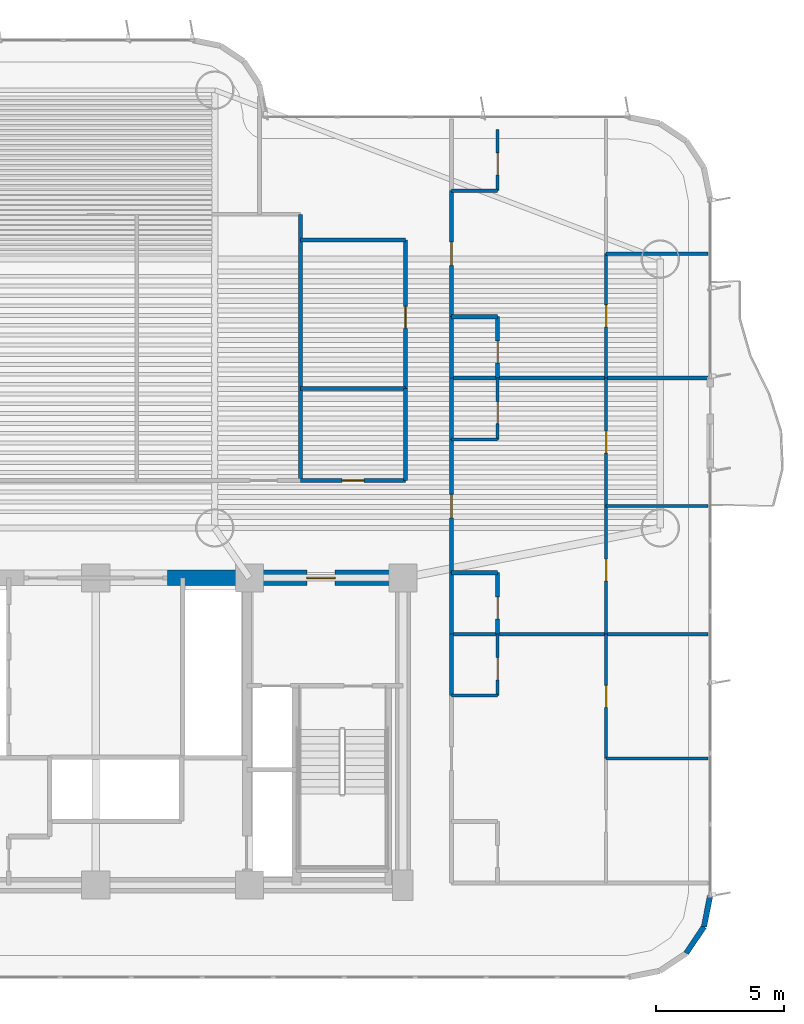
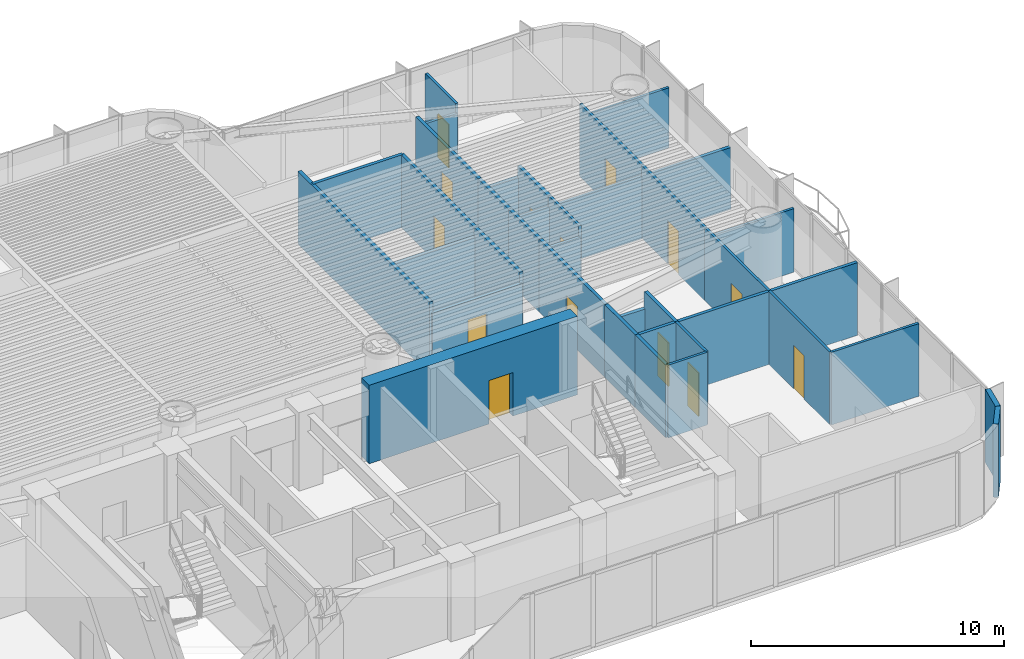
# One storey, part 12 of 18: 34 walls, 14 doors, 14 openings.
"""IFC4 building model written with IfcOpenShell, lengths in metres."""

from ifc_helpers import new_model, si_unit, direction, frame, frame_2d, origin, origin_2d, place, context, subcontext, project, spatial, rectangle, extrude, source, transform, mapped, material, layer, layer_set, type_object, element, fill, save


model = new_model("IFC4")

# Units and contexts
model_context = context("Model", 3, precision=1e-05, world=origin(), true_north=direction((0.0, 1.0)))
body_context = subcontext(model_context, "Body", "Model", "MODEL_VIEW")
ifc_project = project(units=[si_unit("LENGTHUNIT", "METRE"), si_unit("AREAUNIT", "SQUARE_METRE"), si_unit("VOLUMEUNIT", "CUBIC_METRE"), si_unit("PLANEANGLEUNIT", "RADIAN"), si_unit("MASSUNIT", "GRAM", prefix="KILO")], contexts=[model_context])

# Site, building, storey
site_placement = place(None, origin())
site = spatial("IfcSite", under=ifc_project, at=site_placement, CompositionType="ELEMENT")
building_placement = place(site_placement, origin())
building = spatial("IfcBuilding", under=site, at=building_placement, Name="Brelvock Crest Care Tower", CompositionType="ELEMENT")
storey_placement = place(building_placement, frame((0.0, 0.0, 72.360107421875)))
storey = spatial("IfcBuildingStorey", under=building, at=storey_placement, Name="L18", CompositionType="ELEMENT", Elevation=72.360107421875)

# Wall, opening, door
ifc_material_1 = material(Name="Concrete S80 (80 MPa)", Category="concrete")
ifc_layer_1 = layer(ifc_material_1, 0.60009765625, Name="WL-CS1")
ifc_layer_set_1 = layer_set([ifc_layer_1], Name="Concrete S80 (80 MPa)")
wall_type_1 = type_object("IfcWallType", Name="WL-CS1", PredefinedType="SHEAR", material=ifc_layer_set_1)
wall_1_placement = place(storey_placement, frame((38.800048828125, 18.0, 0.0), z_axis=(0.0, 0.0, 1.0), x_axis=(1.0, 0.0, 0.0)))
wall_1 = element("IfcWall", 1, at=wall_1_placement, inside=storey, type_object=wall_type_1, Name="L18 Core North-East Shear Wall", PredefinedType="SHEAR", context=body_context, shape_type="SweptSolid", body=[
    extrude(rectangle(XDim=9.5, YDim=0.60009765625, at=frame_2d((4.75, 0.0))), origin(), (0.0, 0.0, 1.0), 3.77978515625),
])
opening_1_placement = place(wall_1_placement, frame((5.449951171875, 0.0, 0.0)))
opening_1 = element("IfcOpeningElement", 2, at=opening_1_placement, cuts=wall_1, Name="Opening FD-1", PredefinedType="OPENING", context=body_context, shape_type="SweptSolid", body=[
    extrude(rectangle(XDim=1.10009765625, YDim=2.10009765625, at=origin_2d()), frame((0.550048828125, 0.31005859375, 1.050048828125), z_axis=(0.0, -1.0, 0.0), x_axis=(1.0, 0.0, 0.0)), (0.0, 0.0, 1.0), 0.6201171875),
])
ifc_material_2 = material(Name="Steel Grade 350", Category="steel")
door_type_1 = type_object("IfcDoorType", Name="DR-FFL1", OperationType="NOTDEFINED", PredefinedType="DOOR", material=ifc_material_2)
shared_shape_1 = source(origin(), body_context, "Body", "SweptSolid", [
    extrude(rectangle(XDim=1.10009765625, YDim=2.10009765625, at=origin_2d()), frame((0.550048828125, 0.02490234375, 1.050048828125), z_axis=(0.0, -1.0, 0.0), x_axis=(1.0, 0.0, 0.0)), (0.0, 0.0, 1.0), 0.050048828125),
])
door_1_placement = place(opening_1_placement, origin())
door_1 = element("IfcDoor", 3, at=door_1_placement, inside=storey, type_object=door_type_1, Name="L18 Firefighting Lobby FFL-2 Exit Door", OperationType="SINGLE_SWING_RIGHT", OverallHeight=2.10009765625, OverallWidth=1.10009765625, PredefinedType="DOOR", context=body_context, shape_type="MappedRepresentation", body=[
    mapped(shared_shape_1, transform((0.0, 0.0, 0.0), x_axis=(1.0, 0.0, 0.0), y_axis=(0.0, 1.0, 0.0), z_axis=(0.0, 0.0, 1.0), scale=1.0)),
])
fill(opening_1, door_1)

# Walls
ifc_material_3 = material(Name="Precast concrete N40 (40 MPa)", Category="concrete")
ifc_layer_2 = layer(ifc_material_3, 0.215087890625, Name="WL-EX2")
ifc_layer_set_2 = layer_set([ifc_layer_2], Name="Precast concrete N40 (40 MPa)")
wall_type_2 = type_object("IfcWallType", Name="WL-EX2", PredefinedType="SOLIDWALL", material=ifc_layer_set_2)
for number, where, z_axis, x_axis, name in (
    (4, (60.0, 5.60009765625, 0.0), (0.0, 0.0, 1.0), (-0.195138390419, -0.980775717779, 0.0), "L18 Rounded Corner Wall 04"),
    (5, (59.75634765625, 4.37548828125, 0.0), (0.0, 0.0, 1.0), (-0.555557312883, -0.831478245117, 0.0), "L18 Rounded Corner Wall 05"),
):
    element("IfcWall", number, at=place(storey_placement, frame(where, z_axis=z_axis, x_axis=x_axis)), inside=storey, type_object=wall_type_2, Name=name, PredefinedType="SOLIDWALL", context=body_context, shape_type="SweptSolid", body=[
        extrude(rectangle(XDim=1.24853515625, YDim=0.215087890625, at=frame_2d((0.624267578125, 0.0))), origin(), (0.0, 0.0, 1.0), 3.52978515625),
    ])
ifc_material_4 = material(Name="Masonry Blockwork Acoustic Partition", Category="masonry")
ifc_layer_3 = layer(ifc_material_4, 0.14990234375, Name="WL-INT1")
ifc_layer_set_3 = layer_set([ifc_layer_3], Name="Masonry Blockwork Acoustic Partition")
wall_type_3 = type_object("IfcWallType", Name="WL-INT1", PredefinedType="PARTITIONING", material=ifc_layer_set_3)
wall_2_placement = place(storey_placement, frame((49.89990234375, 15.800048828125, 0.0), z_axis=(0.0, 0.0, 1.0), x_axis=(1.0, 0.0, 0.0)))
element("IfcWall", 6, at=wall_2_placement, inside=storey, type_object=wall_type_3, Name="L18 Interior Wall WL-BX-L18-FL-EW1-N", PredefinedType="PARTITIONING", context=body_context, shape_type="SweptSolid", body=[
    extrude(rectangle(XDim=10.02001953125, YDim=0.14990234375, at=frame_2d((5.010009765625, 0.0))), origin(), (0.0, 0.0, 1.0), 3.5),
])
wall_3_placement = place(storey_placement, frame((49.89990234375, 25.800048828125, 0.0), z_axis=(0.0, 0.0, 1.0), x_axis=(1.0, 0.0, 0.0)))
element("IfcWall", 7, at=wall_3_placement, inside=storey, type_object=wall_type_3, Name="L18 Interior Wall WL-BX-L18-FL-EW2-N", PredefinedType="PARTITIONING", context=body_context, shape_type="SweptSolid", body=[
    extrude(rectangle(XDim=10.02001953125, YDim=0.14990234375, at=frame_2d((5.010009765625, 0.0))), origin(), (0.0, 0.0, 1.0), 2.98193359375),
])
wall_4_placement = place(storey_placement, frame((44.0, 31.199951171875, 0.0), z_axis=(0.0, 0.0, 1.0), x_axis=(1.0, 0.0, 0.0)))
element("IfcWall", 8, at=wall_4_placement, inside=storey, type_object=wall_type_3, Name="L18 Interior Wall WL-BX-L18-CKIT-N", PredefinedType="PARTITIONING", context=body_context, shape_type="SweptSolid", body=[
    extrude(rectangle(XDim=4.10009765625, YDim=0.14990234375, at=frame_2d((2.050048828125, 0.0))), origin(), (0.0, 0.0, 1.0), 3.5),
])

# Wall, opening, door
wall_5_placement = place(storey_placement, frame((48.10009765625, 25.39990234375, 0.0), z_axis=(0.0, 0.0, 1.0), x_axis=(0.0, 1.0, 0.0)))
wall_5 = element("IfcWall", 9, at=wall_5_placement, inside=storey, type_object=wall_type_3, Name="L18 Interior Wall WL-RM-L18-CKIT", PredefinedType="PARTITIONING", context=body_context, shape_type="SweptSolid", body=[
    extrude(rectangle(XDim=5.800048828125, YDim=0.14990234375, at=frame_2d((2.89990234375, 0.0))), origin(), (0.0, 0.0, 1.0), 3.5),
])
opening_2_placement = place(wall_5_placement, frame((2.340087890625, 0.0, 0.0)))
opening_2 = element("IfcOpeningElement", 10, at=opening_2_placement, cuts=wall_5, Name="Opening ID-1", PredefinedType="OPENING", context=body_context, shape_type="SweptSolid", body=[
    extrude(rectangle(XDim=0.860107421875, YDim=2.10009765625, at=origin_2d()), frame((0.43017578125, 0.0849609375, 1.050048828125), z_axis=(0.0, -1.0, 0.0), x_axis=(1.0, 0.0, 0.0)), (0.0, 0.0, 1.0), 0.169921875),
])
ifc_material_5 = material(Name="Engineered Hardwood Timber", Category="wood")
door_type_2 = type_object("IfcDoorType", Name="DR-INT1", OperationType="NOTDEFINED", PredefinedType="DOOR", material=ifc_material_5)
shared_shape_2 = source(origin(), body_context, "Body", "SweptSolid", [
    extrude(rectangle(XDim=0.860107421875, YDim=2.10009765625, at=origin_2d()), frame((0.43017578125, 0.02490234375, 1.050048828125), z_axis=(0.0, -1.0, 0.0), x_axis=(1.0, 0.0, 0.0)), (0.0, 0.0, 1.0), 0.050048828125),
])
door_2_placement = place(opening_2_placement, origin())
door_2 = element("IfcDoor", 11, at=door_2_placement, inside=storey, type_object=door_type_2, Name="L18 Neighbourhood Pantry Kitchen Door CKIT", OperationType="SINGLE_SWING_LEFT", OverallHeight=2.10009765625, OverallWidth=0.860107421875, PredefinedType="DOOR", context=body_context, shape_type="MappedRepresentation", body=[
    mapped(shared_shape_2, transform((0.0, 0.0, 0.0), x_axis=(1.0, 0.0, 0.0), y_axis=(0.0, 1.0, 0.0), z_axis=(0.0, 0.0, 1.0), scale=1.0)),
])
fill(opening_2, door_2)

# Wall
wall_6_placement = place(storey_placement, frame((49.89990234375, 13.39990234375, 0.0), z_axis=(0.0, 0.0, 1.0), x_axis=(0.0, 1.0, 0.0)))
element("IfcWall", 12, at=wall_6_placement, inside=storey, type_object=wall_type_3, Name="L18 Interior Wall WL-UCK-L18-EW1", PredefinedType="PARTITIONING", context=body_context, shape_type="SweptSolid", body=[
    extrude(rectangle(XDim=2.400146484375, YDim=0.14990234375, at=frame_2d((1.2001953125, 0.0))), origin(), (0.0, 0.0, 1.0), 3.5),
])

# Wall, opening, door
wall_7_placement = place(storey_placement, frame((49.89990234375, 18.199951171875, 0.0), z_axis=(0.0, 0.0, 1.0), x_axis=(0.0, 1.0, 0.0)))
wall_7 = element("IfcWall", 13, at=wall_7_placement, inside=storey, type_object=wall_type_3, Name="L18 Interior Wall WL-UENT-L18-EW2", PredefinedType="PARTITIONING", context=body_context, shape_type="SweptSolid", body=[
    extrude(rectangle(XDim=5.199951171875, YDim=0.14990234375, at=frame_2d((2.60009765625, 0.0))), origin(), (0.0, 0.0, 1.0), 3.5),
])
opening_3_placement = place(wall_7_placement, frame((2.139892578125, 0.0, 0.0)))
opening_3 = element("IfcOpeningElement", 14, at=opening_3_placement, cuts=wall_7, Name="Opening AD-1", PredefinedType="OPENING", context=body_context, shape_type="SweptSolid", body=[
    extrude(rectangle(XDim=0.919921875, YDim=2.10009765625, at=origin_2d()), frame((0.4599609375, 0.0849609375, 1.050048828125), z_axis=(0.0, -1.0, 0.0), x_axis=(1.0, 0.0, 0.0)), (0.0, 0.0, 1.0), 0.169921875),
])
door_type_3 = type_object("IfcDoorType", Name="DR-APT1", OperationType="NOTDEFINED", PredefinedType="DOOR", material=ifc_material_5)
shared_shape_3 = source(origin(), body_context, "Body", "SweptSolid", [
    extrude(rectangle(XDim=0.919921875, YDim=2.10009765625, at=origin_2d()), frame((0.4599609375, 0.02490234375, 1.050048828125), z_axis=(0.0, -1.0, 0.0), x_axis=(1.0, 0.0, 0.0)), (0.0, 0.0, 1.0), 0.050048828125),
])
door_3_placement = place(opening_3_placement, origin())
door_3 = element("IfcDoor", 15, at=door_3_placement, inside=storey, type_object=door_type_3, Name="L18 Apartment Entrance EW2", OperationType="SINGLE_SWING_LEFT", OverallHeight=2.10009765625, OverallWidth=0.919921875, PredefinedType="DOOR", context=body_context, shape_type="MappedRepresentation", body=[
    mapped(shared_shape_3, transform((0.0, 0.0, 0.0), x_axis=(1.0, 0.0, 0.0), y_axis=(0.0, 1.0, 0.0), z_axis=(0.0, 0.0, 1.0), scale=1.0)),
])
fill(opening_3, door_3)

# Wall
wall_8_placement = place(storey_placement, frame((49.89990234375, 23.39990234375, 0.0), z_axis=(0.0, 0.0, 1.0), x_axis=(0.0, 1.0, 0.0)))
element("IfcWall", 16, at=wall_8_placement, inside=storey, type_object=wall_type_3, Name="L18 Interior Wall WL-UCK-L18-EW2", PredefinedType="PARTITIONING", context=body_context, shape_type="SweptSolid", body=[
    extrude(rectangle(XDim=2.400146484375, YDim=0.14990234375, at=frame_2d((1.2001953125, 0.0))), origin(), (0.0, 0.0, 1.0), 3.5),
])

# Wall, opening, door
wall_9_placement = place(storey_placement, frame((49.89990234375, 28.199951171875, 0.0), z_axis=(0.0, 0.0, 1.0), x_axis=(0.0, 1.0, 0.0)))
wall_9 = element("IfcWall", 17, at=wall_9_placement, inside=storey, type_object=wall_type_3, Name="L18 Interior Wall WL-UENT-L18-EW3", PredefinedType="PARTITIONING", context=body_context, shape_type="SweptSolid", body=[
    extrude(rectangle(XDim=4.920166015625, YDim=0.14990234375, at=frame_2d((2.4599609375, 0.0))), origin(), (0.0, 0.0, 1.0), 3.5),
])
opening_4_placement = place(wall_9_placement, frame((2.0, 0.0, 0.0)))
opening_4 = element("IfcOpeningElement", 18, at=opening_4_placement, cuts=wall_9, Name="Opening AD-1", PredefinedType="OPENING", context=body_context, shape_type="SweptSolid", body=[
    extrude(rectangle(XDim=0.919921875, YDim=2.10009765625, at=origin_2d()), frame((0.4599609375, 0.0849609375, 1.050048828125), z_axis=(0.0, -1.0, 0.0), x_axis=(1.0, 0.0, 0.0)), (0.0, 0.0, 1.0), 0.169921875),
])
door_4_placement = place(opening_4_placement, origin())
door_4 = element("IfcDoor", 19, at=door_4_placement, inside=storey, type_object=door_type_3, Name="L18 Apartment Entrance EW3", OperationType="SINGLE_SWING_LEFT", OverallHeight=2.10009765625, OverallWidth=0.919921875, PredefinedType="DOOR", context=body_context, shape_type="MappedRepresentation", body=[
    mapped(shared_shape_3, transform((0.0, 0.0, 0.0), x_axis=(1.0, 0.0, 0.0), y_axis=(0.0, 1.0, 0.0), z_axis=(0.0, 0.0, 1.0), scale=1.0)),
])
fill(opening_4, door_4)

# Walls
ifc_material_6 = material(Name="Gypsum Plasterboard Partition", Category="gypsum")
ifc_layer_4 = layer(ifc_material_6, 0.1201171875, Name="WL-INT2")
ifc_layer_set_4 = layer_set([ifc_layer_4], Name="Gypsum Plasterboard Partition")
wall_type_4 = type_object("IfcWallType", Name="WL-INT2", PredefinedType="PARTITIONING", material=ifc_layer_set_4)
wall_10_placement = place(storey_placement, frame((55.93603515625, 10.93994140625, 0.0), z_axis=(0.0, 0.0, 1.0), x_axis=(1.0, 0.0, 0.0)))
element("IfcWall", 20, at=wall_10_placement, inside=storey, type_object=wall_type_4, Name="L18 Interior Wall WL-UBSP-L18-EW1", PredefinedType="PARTITIONING", context=body_context, shape_type="SweptSolid", body=[
    extrude(rectangle(XDim=3.98388671875, YDim=0.1201171875, at=frame_2d((1.991943359375, 0.0))), origin(), (0.0, 0.0, 1.0), 3.5),
])
wall_11_placement = place(storey_placement, frame((49.89990234375, 13.39990234375, 0.0), z_axis=(0.0, 0.0, 1.0), x_axis=(1.0, 0.0, 0.0)))
element("IfcWall", 21, at=wall_11_placement, inside=storey, type_object=wall_type_4, Name="L18 Interior Wall WL-UKIT2-L18-EW1", PredefinedType="PARTITIONING", context=body_context, shape_type="SweptSolid", body=[
    extrude(rectangle(XDim=1.800048828125, YDim=0.1201171875, at=frame_2d((0.89990234375, 0.0))), origin(), (0.0, 0.0, 1.0), 3.5),
])
wall_12_placement = place(storey_placement, frame((55.93603515625, 20.800048828125, 0.0), z_axis=(0.0, 0.0, 1.0), x_axis=(1.0, 0.0, 0.0)))
element("IfcWall", 22, at=wall_12_placement, inside=storey, type_object=wall_type_4, Name="L18 Interior Wall WL-UBSP-L18-EW2", PredefinedType="PARTITIONING", context=body_context, shape_type="SweptSolid", body=[
    extrude(rectangle(XDim=3.98388671875, YDim=0.1201171875, at=frame_2d((1.991943359375, 0.0))), origin(), (0.0, 0.0, 1.0), 3.054931640625),
])
wall_13_placement = place(storey_placement, frame((49.89990234375, 23.39990234375, 0.0), z_axis=(0.0, 0.0, 1.0), x_axis=(1.0, 0.0, 0.0)))
element("IfcWall", 23, at=wall_13_placement, inside=storey, type_object=wall_type_4, Name="L18 Interior Wall WL-UKIT2-L18-EW2", PredefinedType="PARTITIONING", context=body_context, shape_type="SweptSolid", body=[
    extrude(rectangle(XDim=1.800048828125, YDim=0.1201171875, at=frame_2d((0.89990234375, 0.0))), origin(), (0.0, 0.0, 1.0), 2.98193359375),
])
wall_14_placement = place(storey_placement, frame((55.93603515625, 30.659912109375, 0.0), z_axis=(0.0, 0.0, 1.0), x_axis=(1.0, 0.0, 0.0)))
element("IfcWall", 24, at=wall_14_placement, inside=storey, type_object=wall_type_4, Name="L18 Interior Wall WL-UBSP-L18-EW3", PredefinedType="PARTITIONING", context=body_context, shape_type="SweptSolid", body=[
    extrude(rectangle(XDim=3.98388671875, YDim=0.1201171875, at=frame_2d((1.991943359375, 0.0))), origin(), (0.0, 0.0, 1.0), 2.90283203125),
])
wall_15_placement = place(storey_placement, frame((49.89990234375, 33.1201171875, 0.0), z_axis=(0.0, 0.0, 1.0), x_axis=(1.0, 0.0, 0.0)))
element("IfcWall", 25, at=wall_15_placement, inside=storey, type_object=wall_type_4, Name="L18 Interior Wall WL-UKIT2-L18-EW3", PredefinedType="PARTITIONING", context=body_context, shape_type="SweptSolid", body=[
    extrude(rectangle(XDim=1.800048828125, YDim=0.1201171875, at=frame_2d((0.89990234375, 0.0))), origin(), (0.0, 0.0, 1.0), 3.054931640625),
])

# Wall, opening, door
wall_16_placement = place(storey_placement, frame((51.699951171875, 13.39990234375, 0.0), z_axis=(0.0, 0.0, 1.0), x_axis=(0.0, 1.0, 0.0)))
wall_16 = element("IfcWall", 26, at=wall_16_placement, inside=storey, type_object=wall_type_4, Name="L18 Interior Wall WL-UKIT1-L18-EW1", PredefinedType="PARTITIONING", context=body_context, shape_type="SweptSolid", body=[
    extrude(rectangle(XDim=2.400146484375, YDim=0.1201171875, at=frame_2d((1.2001953125, 0.0))), origin(), (0.0, 0.0, 1.0), 3.5),
])
opening_5_placement = place(wall_16_placement, frame((0.6201171875, 0.0, 0.0)))
opening_5 = element("IfcOpeningElement", 27, at=opening_5_placement, cuts=wall_16, Name="Opening ID-1", PredefinedType="OPENING", context=body_context, shape_type="SweptSolid", body=[
    extrude(rectangle(XDim=0.860107421875, YDim=2.10009765625, at=origin_2d()), frame((0.43017578125, 0.070068359375, 1.050048828125), z_axis=(0.0, -1.0, 0.0), x_axis=(1.0, 0.0, 0.0)), (0.0, 0.0, 1.0), 0.14013671875),
])
door_5_placement = place(opening_5_placement, origin())
door_5 = element("IfcDoor", 28, at=door_5_placement, inside=storey, type_object=door_type_2, Name="L18 Kitchen Door EW1", OperationType="SINGLE_SWING_RIGHT", OverallHeight=2.10009765625, OverallWidth=0.860107421875, PredefinedType="DOOR", context=body_context, shape_type="MappedRepresentation", body=[
    mapped(shared_shape_2, transform((0.0, 0.0, 0.0), x_axis=(1.0, 0.0, 0.0), y_axis=(0.0, 1.0, 0.0), z_axis=(0.0, 0.0, 1.0), scale=1.0)),
])
fill(opening_5, door_5)

wall_17_placement = place(storey_placement, frame((51.699951171875, 23.39990234375, 0.0), z_axis=(0.0, 0.0, 1.0), x_axis=(0.0, 1.0, 0.0)))
wall_17 = element("IfcWall", 29, at=wall_17_placement, inside=storey, type_object=wall_type_4, Name="L18 Interior Wall WL-UKIT1-L18-EW2", PredefinedType="PARTITIONING", context=body_context, shape_type="SweptSolid", body=[
    extrude(rectangle(XDim=2.400146484375, YDim=0.1201171875, at=frame_2d((1.2001953125, 0.0))), origin(), (0.0, 0.0, 1.0), 3.5),
])
opening_6_placement = place(wall_17_placement, frame((0.6201171875, 0.0, 0.0)))
opening_6 = element("IfcOpeningElement", 30, at=opening_6_placement, cuts=wall_17, Name="Opening ID-1", PredefinedType="OPENING", context=body_context, shape_type="SweptSolid", body=[
    extrude(rectangle(XDim=0.860107421875, YDim=2.10009765625, at=origin_2d()), frame((0.43017578125, 0.070068359375, 1.050048828125), z_axis=(0.0, -1.0, 0.0), x_axis=(1.0, 0.0, 0.0)), (0.0, 0.0, 1.0), 0.14013671875),
])
door_6_placement = place(opening_6_placement, origin())
door_6 = element("IfcDoor", 31, at=door_6_placement, inside=storey, type_object=door_type_2, Name="L18 Kitchen Door EW2", OperationType="SINGLE_SWING_RIGHT", OverallHeight=2.10009765625, OverallWidth=0.860107421875, PredefinedType="DOOR", context=body_context, shape_type="MappedRepresentation", body=[
    mapped(shared_shape_2, transform((0.0, 0.0, 0.0), x_axis=(1.0, 0.0, 0.0), y_axis=(0.0, 1.0, 0.0), z_axis=(0.0, 0.0, 1.0), scale=1.0)),
])
fill(opening_6, door_6)

wall_18_placement = place(storey_placement, frame((51.699951171875, 33.1201171875, 0.0), z_axis=(0.0, 0.0, 1.0), x_axis=(0.0, 1.0, 0.0)))
wall_18 = element("IfcWall", 32, at=wall_18_placement, inside=storey, type_object=wall_type_4, Name="L18 Interior Wall WL-UKIT1-L18-EW3", PredefinedType="PARTITIONING", context=body_context, shape_type="SweptSolid", body=[
    extrude(rectangle(XDim=2.39990234375, YDim=0.1201171875, at=frame_2d((1.199951171875, 0.0))), origin(), (0.0, 0.0, 1.0), 3.5),
])
opening_7_placement = place(wall_18_placement, frame((0.6201171875, 0.0, 0.0)))
opening_7 = element("IfcOpeningElement", 33, at=opening_7_placement, cuts=wall_18, Name="Opening ID-1", PredefinedType="OPENING", context=body_context, shape_type="SweptSolid", body=[
    extrude(rectangle(XDim=0.860107421875, YDim=2.10009765625, at=origin_2d()), frame((0.43017578125, 0.070068359375, 1.050048828125), z_axis=(0.0, -1.0, 0.0), x_axis=(1.0, 0.0, 0.0)), (0.0, 0.0, 1.0), 0.14013671875),
])
door_7_placement = place(opening_7_placement, origin())
door_7 = element("IfcDoor", 34, at=door_7_placement, inside=storey, type_object=door_type_2, Name="L18 Kitchen Door EW3", OperationType="SINGLE_SWING_RIGHT", OverallHeight=2.10009765625, OverallWidth=0.860107421875, PredefinedType="DOOR", context=body_context, shape_type="MappedRepresentation", body=[
    mapped(shared_shape_2, transform((0.0, 0.0, 0.0), x_axis=(1.0, 0.0, 0.0), y_axis=(0.0, 1.0, 0.0), z_axis=(0.0, 0.0, 1.0), scale=1.0)),
])
fill(opening_7, door_7)

wall_19_placement = place(storey_placement, frame((55.93603515625, 10.93994140625, 0.0), z_axis=(0.0, 0.0, 1.0), x_axis=(0.0, 1.0, 0.0)))
wall_19 = element("IfcWall", 35, at=wall_19_placement, inside=storey, type_object=wall_type_4, Name="L18 Interior Wall WL-UBD2-L18-EW1", PredefinedType="PARTITIONING", context=body_context, shape_type="SweptSolid", body=[
    extrude(rectangle(XDim=4.860107421875, YDim=0.1201171875, at=frame_2d((2.43017578125, 0.0))), origin(), (0.0, 0.0, 1.0), 3.5),
])
opening_8_placement = place(wall_19_placement, frame((2.0, 0.0, 0.0)))
opening_8 = element("IfcOpeningElement", 36, at=opening_8_placement, cuts=wall_19, Name="Opening ID-1", PredefinedType="OPENING", context=body_context, shape_type="SweptSolid", body=[
    extrude(rectangle(XDim=0.860107421875, YDim=2.10009765625, at=origin_2d()), frame((0.43017578125, 0.070068359375, 1.050048828125), z_axis=(0.0, -1.0, 0.0), x_axis=(1.0, 0.0, 0.0)), (0.0, 0.0, 1.0), 0.14013671875),
])
door_8_placement = place(opening_8_placement, origin())
door_8 = element("IfcDoor", 37, at=door_8_placement, inside=storey, type_object=door_type_2, Name="L18 Second Room Door EW1", OperationType="SINGLE_SWING_LEFT", OverallHeight=2.10009765625, OverallWidth=0.860107421875, PredefinedType="DOOR", context=body_context, shape_type="MappedRepresentation", body=[
    mapped(shared_shape_2, transform((0.0, 0.0, 0.0), x_axis=(1.0, 0.0, 0.0), y_axis=(0.0, 1.0, 0.0), z_axis=(0.0, 0.0, 1.0), scale=1.0)),
])
fill(opening_8, door_8)

wall_20_placement = place(storey_placement, frame((55.93603515625, 15.800048828125, 0.0), z_axis=(0.0, 0.0, 1.0), x_axis=(0.0, 1.0, 0.0)))
wall_20 = element("IfcWall", 38, at=wall_20_placement, inside=storey, type_object=wall_type_4, Name="L18 Interior Wall WL-UBD1-L18-EW2", PredefinedType="PARTITIONING", context=body_context, shape_type="SweptSolid", body=[
    extrude(rectangle(XDim=5.0, YDim=0.1201171875, at=frame_2d((2.5, 0.0))), origin(), (0.0, 0.0, 1.0), 3.5),
])
opening_9_placement = place(wall_20_placement, frame((2.070068359375, 0.0, 0.0)))
opening_9 = element("IfcOpeningElement", 39, at=opening_9_placement, cuts=wall_20, Name="Opening ID-1", PredefinedType="OPENING", context=body_context, shape_type="SweptSolid", body=[
    extrude(rectangle(XDim=0.860107421875, YDim=2.10009765625, at=origin_2d()), frame((0.43017578125, 0.070068359375, 1.050048828125), z_axis=(0.0, -1.0, 0.0), x_axis=(1.0, 0.0, 0.0)), (0.0, 0.0, 1.0), 0.14013671875),
])
door_9_placement = place(opening_9_placement, origin())
door_9 = element("IfcDoor", 40, at=door_9_placement, inside=storey, type_object=door_type_2, Name="L18 Primary Bedroom Door EW2", OperationType="SINGLE_SWING_RIGHT", OverallHeight=2.10009765625, OverallWidth=0.860107421875, PredefinedType="DOOR", context=body_context, shape_type="MappedRepresentation", body=[
    mapped(shared_shape_2, transform((0.0, 0.0, 0.0), x_axis=(1.0, 0.0, 0.0), y_axis=(0.0, 1.0, 0.0), z_axis=(0.0, 0.0, 1.0), scale=1.0)),
])
fill(opening_9, door_9)

wall_21_placement = place(storey_placement, frame((55.93603515625, 20.800048828125, 0.0), z_axis=(0.0, 0.0, 1.0), x_axis=(0.0, 1.0, 0.0)))
wall_21 = element("IfcWall", 41, at=wall_21_placement, inside=storey, type_object=wall_type_4, Name="L18 Interior Wall WL-UBD2-L18-EW2", PredefinedType="PARTITIONING", context=body_context, shape_type="SweptSolid", body=[
    extrude(rectangle(XDim=5.0, YDim=0.1201171875, at=frame_2d((2.5, 0.0))), origin(), (0.0, 0.0, 1.0), 3.5),
])
opening_10_placement = place(wall_21_placement, frame((2.070068359375, 0.0, 0.0)))
opening_10 = element("IfcOpeningElement", 42, at=opening_10_placement, cuts=wall_21, Name="Opening ID-1", PredefinedType="OPENING", context=body_context, shape_type="SweptSolid", body=[
    extrude(rectangle(XDim=0.860107421875, YDim=2.10009765625, at=origin_2d()), frame((0.43017578125, 0.070068359375, 1.050048828125), z_axis=(0.0, -1.0, 0.0), x_axis=(1.0, 0.0, 0.0)), (0.0, 0.0, 1.0), 0.14013671875),
])
door_10_placement = place(opening_10_placement, origin())
door_10 = element("IfcDoor", 43, at=door_10_placement, inside=storey, type_object=door_type_2, Name="L18 Second Room Door EW2", OperationType="SINGLE_SWING_LEFT", OverallHeight=2.10009765625, OverallWidth=0.860107421875, PredefinedType="DOOR", context=body_context, shape_type="MappedRepresentation", body=[
    mapped(shared_shape_2, transform((0.0, 0.0, 0.0), x_axis=(1.0, 0.0, 0.0), y_axis=(0.0, 1.0, 0.0), z_axis=(0.0, 0.0, 1.0), scale=1.0)),
])
fill(opening_10, door_10)

wall_22_placement = place(storey_placement, frame((55.93603515625, 25.800048828125, 0.0), z_axis=(0.0, 0.0, 1.0), x_axis=(0.0, 1.0, 0.0)))
wall_22 = element("IfcWall", 44, at=wall_22_placement, inside=storey, type_object=wall_type_4, Name="L18 Interior Wall WL-UBD1-L18-EW3", PredefinedType="PARTITIONING", context=body_context, shape_type="SweptSolid", body=[
    extrude(rectangle(XDim=4.85986328125, YDim=0.1201171875, at=frame_2d((2.429931640625, 0.0))), origin(), (0.0, 0.0, 1.0), 3.5),
])
opening_11_placement = place(wall_22_placement, frame((2.0, 0.0, 0.0)))
opening_11 = element("IfcOpeningElement", 45, at=opening_11_placement, cuts=wall_22, Name="Opening ID-1", PredefinedType="OPENING", context=body_context, shape_type="SweptSolid", body=[
    extrude(rectangle(XDim=0.860107421875, YDim=2.10009765625, at=origin_2d()), frame((0.43017578125, 0.070068359375, 1.050048828125), z_axis=(0.0, -1.0, 0.0), x_axis=(1.0, 0.0, 0.0)), (0.0, 0.0, 1.0), 0.14013671875),
])
door_11_placement = place(opening_11_placement, origin())
door_11 = element("IfcDoor", 46, at=door_11_placement, inside=storey, type_object=door_type_2, Name="L18 Primary Bedroom Door EW3", OperationType="SINGLE_SWING_RIGHT", OverallHeight=2.10009765625, OverallWidth=0.860107421875, PredefinedType="DOOR", context=body_context, shape_type="MappedRepresentation", body=[
    mapped(shared_shape_2, transform((0.0, 0.0, 0.0), x_axis=(1.0, 0.0, 0.0), y_axis=(0.0, 1.0, 0.0), z_axis=(0.0, 0.0, 1.0), scale=1.0)),
])
fill(opening_11, door_11)

# Wall
ifc_layer_5 = layer(ifc_material_6, 0.159912109375, Name="WL-PLM1")
ifc_layer_set_5 = layer_set([ifc_layer_5], Name="Gypsum Plasterboard Partition")
wall_type_5 = type_object("IfcWallType", Name="WL-PLM1", PredefinedType="PLUMBINGWALL", material=ifc_layer_set_5)
wall_23_placement = place(storey_placement, frame((49.89990234375, 18.199951171875, 0.0), z_axis=(0.0, 0.0, 1.0), x_axis=(1.0, 0.0, 0.0)))
element("IfcWall", 47, at=wall_23_placement, inside=storey, type_object=wall_type_5, Name="L18 Interior Wall WL-UBTH2-L18-EW2", PredefinedType="PLUMBINGWALL", context=body_context, shape_type="SweptSolid", body=[
    extrude(rectangle(XDim=1.800048828125, YDim=0.159912109375, at=frame_2d((0.89990234375, 0.0))), origin(), (0.0, 0.0, 1.0), 2.71484375),
])

# Wall, opening, door
wall_24_placement = place(storey_placement, frame((44.0, 21.800048828125, 0.0), z_axis=(0.0, 0.0, 1.0), x_axis=(1.0, 0.0, 0.0)))
wall_24 = element("IfcWall", 48, at=wall_24_placement, inside=storey, type_object=wall_type_5, Name="L18 Interior Wall WL-RM-L18-CAWC", PredefinedType="PLUMBINGWALL", context=body_context, shape_type="SweptSolid", body=[
    extrude(rectangle(XDim=4.10009765625, YDim=0.159912109375, at=frame_2d((2.050048828125, 0.0))), origin(), (0.0, 0.0, 1.0), 2.98193359375),
])
opening_12_placement = place(wall_24_placement, frame((1.6201171875, 0.0, 0.0)))
opening_12 = element("IfcOpeningElement", 49, at=opening_12_placement, cuts=wall_24, Name="Opening WD-1", PredefinedType="OPENING", context=body_context, shape_type="SweptSolid", body=[
    extrude(rectangle(XDim=0.860107421875, YDim=2.10009765625, at=origin_2d()), frame((0.43017578125, 0.08984375, 1.050048828125), z_axis=(0.0, -1.0, 0.0), x_axis=(1.0, 0.0, 0.0)), (0.0, 0.0, 1.0), 0.179931640625),
])
door_type_4 = type_object("IfcDoorType", Name="DR-WC1", OperationType="NOTDEFINED", PredefinedType="DOOR", material=ifc_material_5)
shared_shape_4 = source(origin(), body_context, "Body", "SweptSolid", [
    extrude(rectangle(XDim=0.860107421875, YDim=2.10009765625, at=origin_2d()), frame((0.43017578125, 0.02490234375, 1.050048828125), z_axis=(0.0, -1.0, 0.0), x_axis=(1.0, 0.0, 0.0)), (0.0, 0.0, 1.0), 0.050048828125),
])
door_12_placement = place(opening_12_placement, origin())
door_12 = element("IfcDoor", 50, at=door_12_placement, inside=storey, type_object=door_type_4, Name="L18 Floor Accessible WC Door CAWC", OperationType="SINGLE_SWING_LEFT", OverallHeight=2.10009765625, OverallWidth=0.860107421875, PredefinedType="DOOR", context=body_context, shape_type="MappedRepresentation", body=[
    mapped(shared_shape_4, transform((0.0, 0.0, 0.0), x_axis=(1.0, 0.0, 0.0), y_axis=(0.0, 1.0, 0.0), z_axis=(0.0, 0.0, 1.0), scale=1.0)),
])
fill(opening_12, door_12)

# Walls
wall_25_placement = place(storey_placement, frame((44.0, 25.39990234375, 0.0), z_axis=(0.0, 0.0, 1.0), x_axis=(1.0, 0.0, 0.0)))
element("IfcWall", 51, at=wall_25_placement, inside=storey, type_object=wall_type_5, Name="L18 Interior Wall WL-BX-L18-CAWC-N", PredefinedType="PLUMBINGWALL", context=body_context, shape_type="SweptSolid", body=[
    extrude(rectangle(XDim=4.10009765625, YDim=0.159912109375, at=frame_2d((2.050048828125, 0.0))), origin(), (0.0, 0.0, 1.0), 3.054931640625),
])
wall_26_placement = place(storey_placement, frame((49.89990234375, 28.199951171875, 0.0), z_axis=(0.0, 0.0, 1.0), x_axis=(1.0, 0.0, 0.0)))
element("IfcWall", 52, at=wall_26_placement, inside=storey, type_object=wall_type_5, Name="L18 Interior Wall WL-UBTH2-L18-EW3", PredefinedType="PLUMBINGWALL", context=body_context, shape_type="SweptSolid", body=[
    extrude(rectangle(XDim=1.800048828125, YDim=0.159912109375, at=frame_2d((0.89990234375, 0.0))), origin(), (0.0, 0.0, 1.0), 2.98193359375),
])
wall_27_placement = place(storey_placement, frame((44.0, 21.800048828125, 0.0), z_axis=(0.0, 0.0, 1.0), x_axis=(0.0, 1.0, 0.0)))
element("IfcWall", 53, at=wall_27_placement, inside=storey, type_object=wall_type_5, Name="L18 Interior Wall WL-BX-L18-CNE-E", PredefinedType="PLUMBINGWALL", context=body_context, shape_type="SweptSolid", body=[
    extrude(rectangle(XDim=10.39990234375, YDim=0.159912109375, at=frame_2d((5.199951171875, 0.0))), origin(), (0.0, 0.0, 1.0), 3.5),
])
wall_28_placement = place(storey_placement, frame((48.10009765625, 21.800048828125, 0.0), z_axis=(0.0, 0.0, 1.0), x_axis=(0.0, 1.0, 0.0)))
element("IfcWall", 54, at=wall_28_placement, inside=storey, type_object=wall_type_5, Name="L18 Interior Wall WL-BX-L18-CAWC-E", PredefinedType="PLUMBINGWALL", context=body_context, shape_type="SweptSolid", body=[
    extrude(rectangle(XDim=3.599853515625, YDim=0.159912109375, at=frame_2d((1.7998046875, 0.0))), origin(), (0.0, 0.0, 1.0), 3.5),
])
for number, where, z_axis, x_axis, name in (
    (55, (49.89990234375, 15.800048828125, 0.0), (0.0, 0.0, 1.0), (0.0, 1.0, 0.0), "L18 Interior Wall WL-UCB-L18-EW2"),
    (56, (49.89990234375, 25.800048828125, 0.0), (0.0, 0.0, 1.0), (0.0, 1.0, 0.0), "L18 Interior Wall WL-UCB-L18-EW3"),
):
    element("IfcWall", number, at=place(storey_placement, frame(where, z_axis=z_axis, x_axis=x_axis)), inside=storey, type_object=wall_type_5, Name=name, PredefinedType="PLUMBINGWALL", context=body_context, shape_type="SweptSolid", body=[
        extrude(rectangle(XDim=2.39990234375, YDim=0.159912109375, at=frame_2d((1.199951171875, 0.0))), origin(), (0.0, 0.0, 1.0), 3.5),
    ])

# Wall, opening, door
wall_29_placement = place(storey_placement, frame((51.699951171875, 15.800048828125, 0.0), z_axis=(0.0, 0.0, 1.0), x_axis=(0.0, 1.0, 0.0)))
wall_29 = element("IfcWall", 57, at=wall_29_placement, inside=storey, type_object=wall_type_5, Name="L18 Interior Wall WL-UBTH1-L18-EW2", PredefinedType="PLUMBINGWALL", context=body_context, shape_type="SweptSolid", body=[
    extrude(rectangle(XDim=2.39990234375, YDim=0.159912109375, at=frame_2d((1.199951171875, 0.0))), origin(), (0.0, 0.0, 1.0), 3.5),
])
opening_13_placement = place(wall_29_placement, frame((0.60009765625, 0.0, 0.0)))
opening_13 = element("IfcOpeningElement", 58, at=opening_13_placement, cuts=wall_29, Name="Opening WD-1", PredefinedType="OPENING", context=body_context, shape_type="SweptSolid", body=[
    extrude(rectangle(XDim=0.860107421875, YDim=2.10009765625, at=origin_2d()), frame((0.43017578125, 0.08984375, 1.050048828125), z_axis=(0.0, -1.0, 0.0), x_axis=(1.0, 0.0, 0.0)), (0.0, 0.0, 1.0), 0.179931640625),
])
door_13_placement = place(opening_13_placement, origin())
door_13 = element("IfcDoor", 59, at=door_13_placement, inside=storey, type_object=door_type_4, Name="L18 Bathroom Door EW2", OperationType="SINGLE_SWING_LEFT", OverallHeight=2.10009765625, OverallWidth=0.860107421875, PredefinedType="DOOR", context=body_context, shape_type="MappedRepresentation", body=[
    mapped(shared_shape_4, transform((0.0, 0.0, 0.0), x_axis=(1.0, 0.0, 0.0), y_axis=(0.0, 1.0, 0.0), z_axis=(0.0, 0.0, 1.0), scale=1.0)),
])
fill(opening_13, door_13)

wall_30_placement = place(storey_placement, frame((51.699951171875, 25.800048828125, 0.0), z_axis=(0.0, 0.0, 1.0), x_axis=(0.0, 1.0, 0.0)))
wall_30 = element("IfcWall", 60, at=wall_30_placement, inside=storey, type_object=wall_type_5, Name="L18 Interior Wall WL-UBTH1-L18-EW3", PredefinedType="PLUMBINGWALL", context=body_context, shape_type="SweptSolid", body=[
    extrude(rectangle(XDim=2.39990234375, YDim=0.159912109375, at=frame_2d((1.199951171875, 0.0))), origin(), (0.0, 0.0, 1.0), 3.5),
])
opening_14_placement = place(wall_30_placement, frame((0.60009765625, 0.0, 0.0)))
opening_14 = element("IfcOpeningElement", 61, at=opening_14_placement, cuts=wall_30, Name="Opening WD-1", PredefinedType="OPENING", context=body_context, shape_type="SweptSolid", body=[
    extrude(rectangle(XDim=0.860107421875, YDim=2.10009765625, at=origin_2d()), frame((0.43017578125, 0.08984375, 1.050048828125), z_axis=(0.0, -1.0, 0.0), x_axis=(1.0, 0.0, 0.0)), (0.0, 0.0, 1.0), 0.179931640625),
])
door_14_placement = place(opening_14_placement, origin())
door_14 = element("IfcDoor", 62, at=door_14_placement, inside=storey, type_object=door_type_4, Name="L18 Bathroom Door EW3", OperationType="SINGLE_SWING_LEFT", OverallHeight=2.10009765625, OverallWidth=0.860107421875, PredefinedType="DOOR", context=body_context, shape_type="MappedRepresentation", body=[
    mapped(shared_shape_4, transform((0.0, 0.0, 0.0), x_axis=(1.0, 0.0, 0.0), y_axis=(0.0, 1.0, 0.0), z_axis=(0.0, 0.0, 1.0), scale=1.0)),
])
fill(opening_14, door_14)

save(model, "model.ifc")
